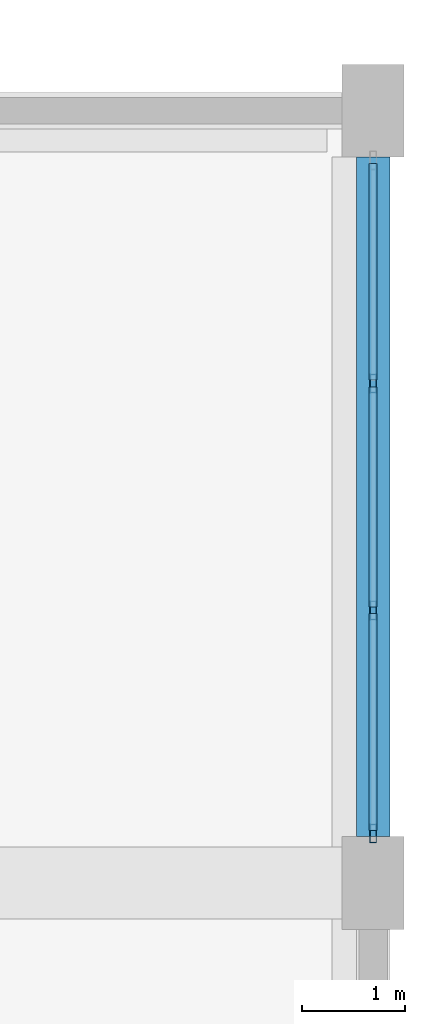
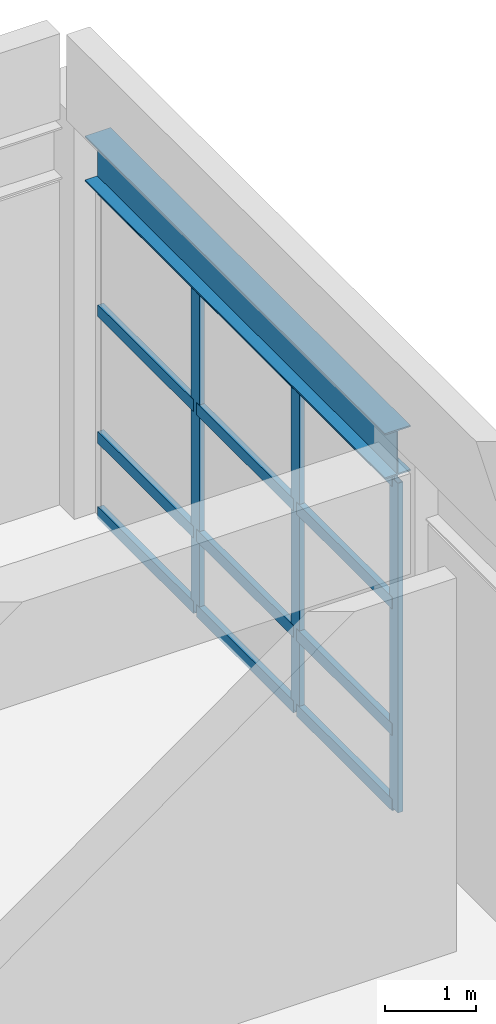
# One storey, part 20 of 41: 15 members, 1 beam, 1 element without a shape of its own.
"""IFC4 building model written with IfcOpenShell, lengths in metres."""

from ifc_helpers import new_model, si_unit, direction, frame, origin, origin_2d, place, context, subcontext, project, spatial, hollow_rectangle, i_section, extrude, material, layer, layer_set, material_profile, profile_set, type_object, element, aggregate, save


model = new_model("IFC4")

# Units and contexts
model_context = context("Model", 3, precision=1e-05, world=origin(), true_north=direction((0.0, 1.0)))
body_context = subcontext(model_context, "Body", "Model", "MODEL_VIEW")
ifc_project = project(units=[si_unit("LENGTHUNIT", "METRE"), si_unit("AREAUNIT", "SQUARE_METRE"), si_unit("VOLUMEUNIT", "CUBIC_METRE"), si_unit("PLANEANGLEUNIT", "RADIAN"), si_unit("MASSUNIT", "GRAM", prefix="KILO")], contexts=[model_context])

# Site, building, storey
site_placement = place(None, origin())
site = spatial("IfcSite", under=ifc_project, at=site_placement, CompositionType="ELEMENT")
building_placement = place(site_placement, origin())
building = spatial("IfcBuilding", under=site, at=building_placement, Name="Vaelkrest Opera House", CompositionType="ELEMENT")
storey_placement = place(building_placement, frame((0.0, 0.0, 24.60009765625)))
storey = spatial("IfcBuildingStorey", under=building, at=storey_placement, Name="L05", CompositionType="ELEMENT", Elevation=24.60009765625)

# Curtain wall, members
ifc_material_1 = material(Name="Dark bronze anodized aluminium", Category="aluminium")
ifc_layer = layer(ifc_material_1, 0.219970703125)
ifc_layer_set = layer_set([ifc_layer], Name="Dark bronze anodized aluminium")
curtain_wall_type = type_object("IfcCurtainWallType", Name="CW05", PredefinedType="NOTDEFINED", material=ifc_layer_set)
curtain_wall_placement = place(storey_placement, origin())
curtain_wall = element("IfcCurtainWall", 1, at=curtain_wall_placement, inside=storey, type_object=curtain_wall_type, Name="Curtain wall CW-L05-172", PredefinedType="NOTDEFINED")
ifc_material_profile_1 = material_profile(ifc_material_1, hollow_rectangle(XDim=0.06494140625, YDim=0.179931640625, WallThickness=0.00390625, at=origin_2d()), Name="CWM65X180")
ifc_profile_set_1 = profile_set([ifc_material_profile_1], Name="Dark bronze anodized aluminium")
member_type_1 = type_object("IfcMemberType", Name="CWM01", PredefinedType="MULLION", material=ifc_profile_set_1)
member_1_placement = place(storey_placement, frame((68.800048828125, 22.55078125, 0.0), z_axis=(0.0, 0.0, 1.0), x_axis=(1.0, 0.0, 0.0)))
member_1 = element("IfcMember", 2, at=member_1_placement, type_object=member_type_1, Name="CW05 mullion 2", PredefinedType="MULLION", context=body_context, shape_type="SweptSolid", body=[
    extrude(hollow_rectangle(XDim=0.06494140625, YDim=0.179931640625, WallThickness=0.00390625, at=origin_2d()), origin(), (0.0, 0.0, 1.0), 4.428955078125),
])
member_2_placement = place(storey_placement, frame((68.800048828125, 20.349365234375, 0.0), z_axis=(0.0, 0.0, 1.0), x_axis=(1.0, 0.0, 0.0)))
member_2 = element("IfcMember", 3, at=member_2_placement, type_object=member_type_1, Name="CW05 mullion 3", PredefinedType="MULLION", context=body_context, shape_type="SweptSolid", body=[
    extrude(hollow_rectangle(XDim=0.06494140625, YDim=0.179931640625, WallThickness=0.00390625, at=origin_2d()), origin(), (0.0, 0.0, 1.0), 4.428955078125),
])
member_3_placement = place(storey_placement, frame((68.800048828125, 18.180419921875, 0.0), z_axis=(0.0, 0.0, 1.0), x_axis=(1.0, 0.0, 0.0)))
member_3 = element("IfcMember", 4, at=member_3_placement, type_object=member_type_1, Name="CW05 mullion 4", PredefinedType="MULLION", context=body_context, shape_type="SweptSolid", body=[
    extrude(hollow_rectangle(XDim=0.06494140625, YDim=0.179931640625, WallThickness=0.00390625, at=origin_2d()), origin(), (0.0, 0.0, 1.0), 4.428955078125),
])
ifc_material_profile_2 = material_profile(ifc_material_1, hollow_rectangle(XDim=0.074951171875, YDim=0.159912109375, WallThickness=0.00439453125, at=origin_2d()), Name="CWT75X160")
ifc_profile_set_2 = profile_set([ifc_material_profile_2], Name="Dark bronze anodized aluminium")
member_type_2 = type_object("IfcMemberType", Name="CWT03", PredefinedType="USERDEFINED", material=ifc_profile_set_2)
member_4_placement = place(storey_placement, frame((68.800048828125, 24.68701171875, 0.037353515625), z_axis=(0.0, -1.0, 0.0), x_axis=(1.0, 0.0, 0.0)))
member_4 = element("IfcMember", 5, at=member_4_placement, type_object=member_type_2, Name="CW05 transom 1.1", ObjectType="TRANSOM", PredefinedType="USERDEFINED", context=body_context, shape_type="SweptSolid", body=[
    extrude(hollow_rectangle(XDim=0.074951171875, YDim=0.159912109375, WallThickness=0.00439453125, at=origin_2d()), origin(), (0.0, 0.0, 1.0), 2.103759765625),
])
member_5_placement = place(storey_placement, frame((68.800048828125, 24.68701171875, 1.0498046875), z_axis=(0.0, -1.0, 0.0), x_axis=(1.0, 0.0, 0.0)))
member_5 = element("IfcMember", 6, at=member_5_placement, type_object=member_type_2, Name="CW05 transom 1.2", ObjectType="TRANSOM", PredefinedType="USERDEFINED", context=body_context, shape_type="SweptSolid", body=[
    extrude(hollow_rectangle(XDim=0.074951171875, YDim=0.159912109375, WallThickness=0.00439453125, at=origin_2d()), origin(), (0.0, 0.0, 1.0), 2.103759765625),
])
member_6_placement = place(storey_placement, frame((68.800048828125, 24.68701171875, 2.75), z_axis=(0.0, -1.0, 0.0), x_axis=(1.0, 0.0, 0.0)))
member_6 = element("IfcMember", 7, at=member_6_placement, type_object=member_type_2, Name="CW05 transom 1.3", ObjectType="TRANSOM", PredefinedType="USERDEFINED", context=body_context, shape_type="SweptSolid", body=[
    extrude(hollow_rectangle(XDim=0.074951171875, YDim=0.159912109375, WallThickness=0.00439453125, at=origin_2d()), origin(), (0.0, 0.0, 1.0), 2.103759765625),
])
member_7_placement = place(storey_placement, frame((68.800048828125, 24.68701171875, 4.391357421875), z_axis=(0.0, -1.0, 0.0), x_axis=(1.0, 0.0, 0.0)))
member_7 = element("IfcMember", 8, at=member_7_placement, type_object=member_type_2, Name="CW05 transom 1.4", ObjectType="TRANSOM", PredefinedType="USERDEFINED", context=body_context, shape_type="SweptSolid", body=[
    extrude(hollow_rectangle(XDim=0.074951171875, YDim=0.159912109375, WallThickness=0.00439453125, at=origin_2d()), origin(), (0.0, 0.0, 1.0), 2.103759765625),
])
member_8_placement = place(storey_placement, frame((68.800048828125, 22.51806640625, 0.037353515625), z_axis=(0.0, -1.0, 0.0), x_axis=(1.0, 0.0, 0.0)))
member_8 = element("IfcMember", 9, at=member_8_placement, type_object=member_type_2, Name="CW05 transom 2.1", ObjectType="TRANSOM", PredefinedType="USERDEFINED", context=body_context, shape_type="SweptSolid", body=[
    extrude(hollow_rectangle(XDim=0.074951171875, YDim=0.159912109375, WallThickness=0.00439453125, at=origin_2d()), origin(), (0.0, 0.0, 1.0), 2.13623046875),
])
member_9_placement = place(storey_placement, frame((68.800048828125, 22.51806640625, 1.0498046875), z_axis=(0.0, -1.0, 0.0), x_axis=(1.0, 0.0, 0.0)))
member_9 = element("IfcMember", 10, at=member_9_placement, type_object=member_type_2, Name="CW05 transom 2.2", ObjectType="TRANSOM", PredefinedType="USERDEFINED", context=body_context, shape_type="SweptSolid", body=[
    extrude(hollow_rectangle(XDim=0.074951171875, YDim=0.159912109375, WallThickness=0.00439453125, at=origin_2d()), origin(), (0.0, 0.0, 1.0), 2.13623046875),
])
member_10_placement = place(storey_placement, frame((68.800048828125, 22.51806640625, 2.75), z_axis=(0.0, -1.0, 0.0), x_axis=(1.0, 0.0, 0.0)))
member_10 = element("IfcMember", 11, at=member_10_placement, type_object=member_type_2, Name="CW05 transom 2.3", ObjectType="TRANSOM", PredefinedType="USERDEFINED", context=body_context, shape_type="SweptSolid", body=[
    extrude(hollow_rectangle(XDim=0.074951171875, YDim=0.159912109375, WallThickness=0.00439453125, at=origin_2d()), origin(), (0.0, 0.0, 1.0), 2.13623046875),
])
member_11_placement = place(storey_placement, frame((68.800048828125, 22.51806640625, 4.391357421875), z_axis=(0.0, -1.0, 0.0), x_axis=(1.0, 0.0, 0.0)))
member_11 = element("IfcMember", 12, at=member_11_placement, type_object=member_type_2, Name="CW05 transom 2.4", ObjectType="TRANSOM", PredefinedType="USERDEFINED", context=body_context, shape_type="SweptSolid", body=[
    extrude(hollow_rectangle(XDim=0.074951171875, YDim=0.159912109375, WallThickness=0.00439453125, at=origin_2d()), origin(), (0.0, 0.0, 1.0), 2.13623046875),
])
member_12_placement = place(storey_placement, frame((68.800048828125, 20.31689453125, 0.037353515625), z_axis=(0.0, -1.0, 0.0), x_axis=(1.0, 0.0, 0.0)))
member_12 = element("IfcMember", 13, at=member_12_placement, type_object=member_type_2, Name="CW05 transom 3.1", ObjectType="TRANSOM", PredefinedType="USERDEFINED", context=body_context, shape_type="SweptSolid", body=[
    extrude(hollow_rectangle(XDim=0.074951171875, YDim=0.159912109375, WallThickness=0.00439453125, at=origin_2d()), origin(), (0.0, 0.0, 1.0), 2.10400390625),
])
member_13_placement = place(storey_placement, frame((68.800048828125, 20.31689453125, 1.0498046875), z_axis=(0.0, -1.0, 0.0), x_axis=(1.0, 0.0, 0.0)))
member_13 = element("IfcMember", 14, at=member_13_placement, type_object=member_type_2, Name="CW05 transom 3.2", ObjectType="TRANSOM", PredefinedType="USERDEFINED", context=body_context, shape_type="SweptSolid", body=[
    extrude(hollow_rectangle(XDim=0.074951171875, YDim=0.159912109375, WallThickness=0.00439453125, at=origin_2d()), origin(), (0.0, 0.0, 1.0), 2.10400390625),
])
member_14_placement = place(storey_placement, frame((68.800048828125, 20.31689453125, 2.75), z_axis=(0.0, -1.0, 0.0), x_axis=(1.0, 0.0, 0.0)))
member_14 = element("IfcMember", 15, at=member_14_placement, type_object=member_type_2, Name="CW05 transom 3.3", ObjectType="TRANSOM", PredefinedType="USERDEFINED", context=body_context, shape_type="SweptSolid", body=[
    extrude(hollow_rectangle(XDim=0.074951171875, YDim=0.159912109375, WallThickness=0.00439453125, at=origin_2d()), origin(), (0.0, 0.0, 1.0), 2.10400390625),
])
member_15_placement = place(storey_placement, frame((68.800048828125, 20.31689453125, 4.391357421875), z_axis=(0.0, -1.0, 0.0), x_axis=(1.0, 0.0, 0.0)))
member_15 = element("IfcMember", 16, at=member_15_placement, type_object=member_type_2, Name="CW05 transom 3.4", ObjectType="TRANSOM", PredefinedType="USERDEFINED", context=body_context, shape_type="SweptSolid", body=[
    extrude(hollow_rectangle(XDim=0.074951171875, YDim=0.159912109375, WallThickness=0.00439453125, at=origin_2d()), origin(), (0.0, 0.0, 1.0), 2.10400390625),
])
aggregate(curtain_wall, [member_1, member_2, member_3, member_4, member_5, member_6, member_7, member_8, member_9, member_10, member_11, member_12, member_13, member_14, member_15])

# Beam
ifc_material_2 = material(Name="Steel A992 Gr50", Category="steel")
ifc_material_profile_3 = material_profile(ifc_material_2, i_section(OverallWidth=0.323974609375, OverallDepth=0.611083984375, WebThickness=0.0126953125, FlangeThickness=0.01904296875, at=origin_2d()), Name="W24X104")
ifc_profile_set_3 = profile_set([ifc_material_profile_3], Name="Steel A992 Gr50")
beam_type = type_object("IfcBeamType", Name="SP01", PredefinedType="SPANDREL", material=ifc_profile_set_3)
beam_placement = place(storey_placement, frame((68.800048828125, 18.14990234375, 4.79931640625), z_axis=(0.0, 1.0, 0.0), x_axis=(-1.0, 0.0, 0.0)))
element("IfcBeam", 17, at=beam_placement, inside=storey, type_object=beam_type, Name="Beam BM-V4-L05-2454", PredefinedType="SPANDREL", context=body_context, shape_type="SweptSolid", body=[
    extrude(i_section(OverallWidth=0.323974609375, OverallDepth=0.611083984375, WebThickness=0.0126953125, FlangeThickness=0.01904296875, at=origin_2d()), origin(), (0.0, 0.0, 1.0), 6.60009765625),
])

save(model, "model.ifc")
